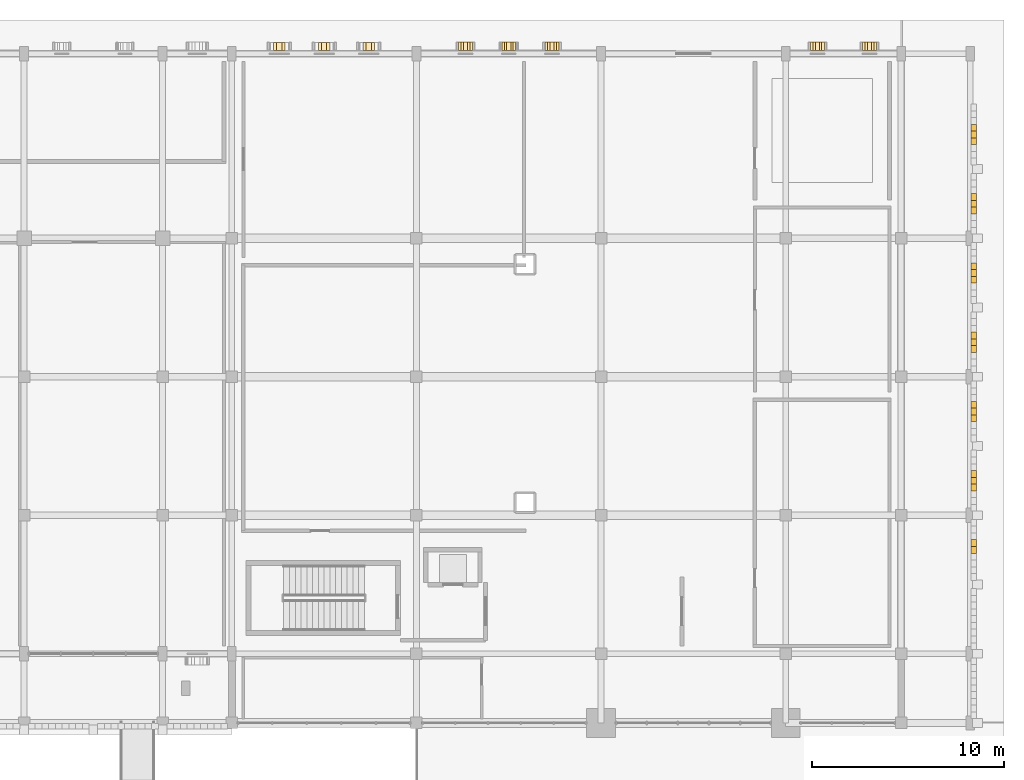
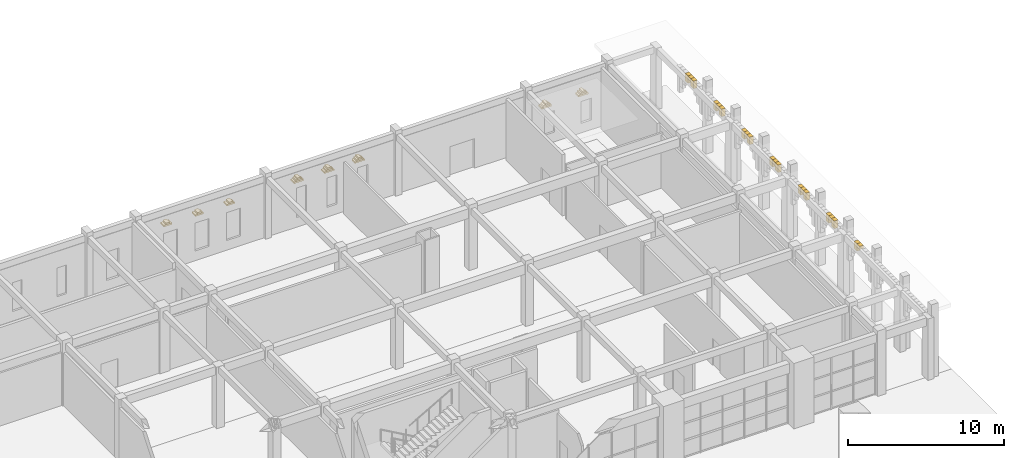
# One storey, part 71 of 72: 41 coverings.
"""IFC4 building model written with IfcOpenShell, lengths in metres."""

from ifc_helpers import new_model, si_unit, direction, frame, origin, origin_2d, place, context, subcontext, project, spatial, rectangle, extrude, material, layer, layer_set, type_object, element, save


model = new_model("IFC4")

# Units and contexts
model_context = context("Model", 3, precision=1e-05, world=origin(), true_north=direction((0.0, 1.0)))
body_context = subcontext(model_context, "Body", "Model", "MODEL_VIEW")
ifc_project = project(units=[si_unit("LENGTHUNIT", "METRE"), si_unit("AREAUNIT", "SQUARE_METRE"), si_unit("VOLUMEUNIT", "CUBIC_METRE"), si_unit("PLANEANGLEUNIT", "RADIAN"), si_unit("MASSUNIT", "GRAM", prefix="KILO")], contexts=[model_context])

# Site, building, storey
site_placement = place(None, origin())
site = spatial("IfcSite", under=ifc_project, at=site_placement, CompositionType="ELEMENT")
building_placement = place(site_placement, origin())
building = spatial("IfcBuilding", under=site, at=building_placement, Name="Nzembalo Square Collegiate School", CompositionType="ELEMENT")
storey_placement = place(building_placement, origin())
storey = spatial("IfcBuildingStorey", under=building, at=storey_placement, Name="L00", CompositionType="ELEMENT", Elevation=0.0)

# Coverings
ifc_material_1 = material(Name="Precast concrete C40/50 arch voussoir", Category="concrete")
ifc_layer_1 = layer(ifc_material_1, 0.1201171875, Name="Precast concrete C40/50 arch voussoir")
ifc_layer_set_1 = layer_set([ifc_layer_1], Name="Precast concrete C40/50 arch voussoir")
covering_type_1 = type_object("IfcCoveringType", Name="AR01", PredefinedType="CLADDING", material=ifc_layer_set_1)
covering_1_placement = place(storey_placement, frame((169.3798828125, 88.199951171875, 4.579833984375), z_axis=(0.0, 0.0, 1.0), x_axis=(1.0, 0.0, 0.0)))
element("IfcCovering", 1, at=covering_1_placement, inside=storey, type_object=covering_type_1, Name="Gothic pointed arch voussoir AR01-090-4", PredefinedType="CLADDING", context=body_context, shape_type="SweptSolid", body=[
    extrude(rectangle(XDim=0.280029296875, YDim=0.35107421875, at=origin_2d()), origin(), (0.0, 0.0, 1.0), 0.22021484375),
])
for number, where, z_axis, x_axis, name in (
    (2, (169.3798828125, 88.551025390625, 4.2109375), (0.0, 0.0, 1.0), (1.0, 0.0, 0.0), "Gothic pointed arch voussoir AR01-090-5"),
    (3, (169.3798828125, 91.44873046875, 4.2109375), (0.0, 0.0, 1.0), (1.0, 0.0, 0.0), "Gothic pointed arch voussoir AR01-091-3"),
):
    element("IfcCovering", number, at=place(storey_placement, frame(where, z_axis=z_axis, x_axis=x_axis)), inside=storey, type_object=covering_type_1, Name=name, PredefinedType="CLADDING", context=body_context, shape_type="SweptSolid", body=[
        extrude(rectangle(XDim=0.280029296875, YDim=0.35107421875, at=origin_2d()), origin(), (0.0, 0.0, 1.0), 0.589111328125),
    ])
covering_2_placement = place(storey_placement, frame((169.3798828125, 91.7998046875, 4.579833984375), z_axis=(0.0, 0.0, 1.0), x_axis=(1.0, 0.0, 0.0)))
element("IfcCovering", 4, at=covering_2_placement, inside=storey, type_object=covering_type_1, Name="Gothic pointed arch voussoir AR01-091-4", PredefinedType="CLADDING", context=body_context, shape_type="SweptSolid", body=[
    extrude(rectangle(XDim=0.280029296875, YDim=0.35107421875, at=origin_2d()), origin(), (0.0, 0.0, 1.0), 0.22021484375),
])
for number, where, z_axis, x_axis, name in (
    (5, (169.3798828125, 92.15087890625, 4.2109375), (0.0, 0.0, 1.0), (1.0, 0.0, 0.0), "Gothic pointed arch voussoir AR01-091-5"),
    (6, (169.3798828125, 95.048828125, 4.2109375), (0.0, 0.0, 1.0), (1.0, 0.0, 0.0), "Gothic pointed arch voussoir AR01-092-3"),
):
    element("IfcCovering", number, at=place(storey_placement, frame(where, z_axis=z_axis, x_axis=x_axis)), inside=storey, type_object=covering_type_1, Name=name, PredefinedType="CLADDING", context=body_context, shape_type="SweptSolid", body=[
        extrude(rectangle(XDim=0.280029296875, YDim=0.35107421875, at=origin_2d()), origin(), (0.0, 0.0, 1.0), 0.589111328125),
    ])
covering_3_placement = place(storey_placement, frame((169.3798828125, 95.39990234375, 4.579833984375), z_axis=(0.0, 0.0, 1.0), x_axis=(1.0, 0.0, 0.0)))
element("IfcCovering", 7, at=covering_3_placement, inside=storey, type_object=covering_type_1, Name="Gothic pointed arch voussoir AR01-092-4", PredefinedType="CLADDING", context=body_context, shape_type="SweptSolid", body=[
    extrude(rectangle(XDim=0.280029296875, YDim=0.35107421875, at=origin_2d()), origin(), (0.0, 0.0, 1.0), 0.22021484375),
])
for number, where, z_axis, x_axis, name in (
    (8, (169.3798828125, 95.7509765625, 4.2109375), (0.0, 0.0, 1.0), (1.0, 0.0, 0.0), "Gothic pointed arch voussoir AR01-092-5"),
    (9, (169.3798828125, 98.648681640625, 4.2109375), (0.0, 0.0, 1.0), (1.0, 0.0, 0.0), "Gothic pointed arch voussoir AR01-093-3"),
):
    element("IfcCovering", number, at=place(storey_placement, frame(where, z_axis=z_axis, x_axis=x_axis)), inside=storey, type_object=covering_type_1, Name=name, PredefinedType="CLADDING", context=body_context, shape_type="SweptSolid", body=[
        extrude(rectangle(XDim=0.280029296875, YDim=0.35107421875, at=origin_2d()), origin(), (0.0, 0.0, 1.0), 0.589111328125),
    ])
covering_4_placement = place(storey_placement, frame((169.3798828125, 99.0, 4.579833984375), z_axis=(0.0, 0.0, 1.0), x_axis=(1.0, 0.0, 0.0)))
element("IfcCovering", 10, at=covering_4_placement, inside=storey, type_object=covering_type_1, Name="Gothic pointed arch voussoir AR01-093-4", PredefinedType="CLADDING", context=body_context, shape_type="SweptSolid", body=[
    extrude(rectangle(XDim=0.280029296875, YDim=0.35107421875, at=origin_2d()), origin(), (0.0, 0.0, 1.0), 0.22021484375),
])
for number, where, z_axis, x_axis, name in (
    (11, (169.3798828125, 99.35107421875, 4.2109375), (0.0, 0.0, 1.0), (1.0, 0.0, 0.0), "Gothic pointed arch voussoir AR01-093-5"),
    (12, (169.3798828125, 102.248779296875, 4.2109375), (0.0, 0.0, 1.0), (1.0, 0.0, 0.0), "Gothic pointed arch voussoir AR01-094-3"),
):
    element("IfcCovering", number, at=place(storey_placement, frame(where, z_axis=z_axis, x_axis=x_axis)), inside=storey, type_object=covering_type_1, Name=name, PredefinedType="CLADDING", context=body_context, shape_type="SweptSolid", body=[
        extrude(rectangle(XDim=0.280029296875, YDim=0.35107421875, at=origin_2d()), origin(), (0.0, 0.0, 1.0), 0.589111328125),
    ])
covering_5_placement = place(storey_placement, frame((169.3798828125, 102.599853515625, 4.579833984375), z_axis=(0.0, 0.0, 1.0), x_axis=(1.0, 0.0, 0.0)))
element("IfcCovering", 13, at=covering_5_placement, inside=storey, type_object=covering_type_1, Name="Gothic pointed arch voussoir AR01-094-4", PredefinedType="CLADDING", context=body_context, shape_type="SweptSolid", body=[
    extrude(rectangle(XDim=0.280029296875, YDim=0.35107421875, at=origin_2d()), origin(), (0.0, 0.0, 1.0), 0.22021484375),
])
for number, where, z_axis, x_axis, name in (
    (14, (169.3798828125, 102.950927734375, 4.2109375), (0.0, 0.0, 1.0), (1.0, 0.0, 0.0), "Gothic pointed arch voussoir AR01-094-5"),
    (15, (169.3798828125, 105.848876953125, 4.2109375), (0.0, 0.0, 1.0), (1.0, 0.0, 0.0), "Gothic pointed arch voussoir AR01-095-3"),
):
    element("IfcCovering", number, at=place(storey_placement, frame(where, z_axis=z_axis, x_axis=x_axis)), inside=storey, type_object=covering_type_1, Name=name, PredefinedType="CLADDING", context=body_context, shape_type="SweptSolid", body=[
        extrude(rectangle(XDim=0.280029296875, YDim=0.35107421875, at=origin_2d()), origin(), (0.0, 0.0, 1.0), 0.589111328125),
    ])
covering_6_placement = place(storey_placement, frame((169.3798828125, 106.199951171875, 4.579833984375), z_axis=(0.0, 0.0, 1.0), x_axis=(1.0, 0.0, 0.0)))
element("IfcCovering", 16, at=covering_6_placement, inside=storey, type_object=covering_type_1, Name="Gothic pointed arch voussoir AR01-095-4", PredefinedType="CLADDING", context=body_context, shape_type="SweptSolid", body=[
    extrude(rectangle(XDim=0.280029296875, YDim=0.35107421875, at=origin_2d()), origin(), (0.0, 0.0, 1.0), 0.22021484375),
])
for number, where, z_axis, x_axis, name in (
    (17, (169.3798828125, 106.551025390625, 4.2109375), (0.0, 0.0, 1.0), (1.0, 0.0, 0.0), "Gothic pointed arch voussoir AR01-095-5"),
    (18, (169.3798828125, 109.44873046875, 4.2109375), (0.0, 0.0, 1.0), (1.0, 0.0, 0.0), "Gothic pointed arch voussoir AR01-096-3"),
):
    element("IfcCovering", number, at=place(storey_placement, frame(where, z_axis=z_axis, x_axis=x_axis)), inside=storey, type_object=covering_type_1, Name=name, PredefinedType="CLADDING", context=body_context, shape_type="SweptSolid", body=[
        extrude(rectangle(XDim=0.280029296875, YDim=0.35107421875, at=origin_2d()), origin(), (0.0, 0.0, 1.0), 0.589111328125),
    ])
covering_7_placement = place(storey_placement, frame((169.3798828125, 109.7998046875, 4.579833984375), z_axis=(0.0, 0.0, 1.0), x_axis=(1.0, 0.0, 0.0)))
element("IfcCovering", 19, at=covering_7_placement, inside=storey, type_object=covering_type_1, Name="Gothic pointed arch voussoir AR01-096-4", PredefinedType="CLADDING", context=body_context, shape_type="SweptSolid", body=[
    extrude(rectangle(XDim=0.280029296875, YDim=0.35107421875, at=origin_2d()), origin(), (0.0, 0.0, 1.0), 0.22021484375),
])
covering_8_placement = place(storey_placement, frame((169.3798828125, 110.15087890625, 4.2109375), z_axis=(0.0, 0.0, 1.0), x_axis=(1.0, 0.0, 0.0)))
element("IfcCovering", 20, at=covering_8_placement, inside=storey, type_object=covering_type_1, Name="Gothic pointed arch voussoir AR01-096-5", PredefinedType="CLADDING", context=body_context, shape_type="SweptSolid", body=[
    extrude(rectangle(XDim=0.280029296875, YDim=0.35107421875, at=origin_2d()), origin(), (0.0, 0.0, 1.0), 0.589111328125),
])
ifc_material_2 = material(Name="Glazed celadon ceramic window frame")
ifc_layer_2 = layer(ifc_material_2, 0.419921875, Name="Glazed celadon ceramic window frame")
ifc_layer_set_2 = layer_set([ifc_layer_2], Name="Glazed celadon ceramic window frame")
covering_type_2 = type_object("IfcCoveringType", Name="WF01", PredefinedType="CLADDING", material=ifc_layer_set_2)
covering_9_placement = place(storey_placement, frame((133.2734375, 114.375, 3.159912109375), z_axis=(0.0, 0.0, 1.0), x_axis=(1.0, 0.0, 0.0)))
element("IfcCovering", 21, at=covering_9_placement, inside=storey, type_object=covering_type_2, Name="Pointed lancet gable WF01-0143-2", PredefinedType="CLADDING", context=body_context, shape_type="SweptSolid", body=[
    extrude(rectangle(XDim=0.594970703125, YDim=0.419921875, at=origin_2d()), origin(), (0.0, 0.0, 1.0), 0.1201171875),
])
covering_10_placement = place(storey_placement, frame((133.2734375, 114.375, 3.280029296875), z_axis=(0.0, 0.0, 1.0), x_axis=(1.0, 0.0, 0.0)))
element("IfcCovering", 22, at=covering_10_placement, inside=storey, type_object=covering_type_2, Name="Pointed lancet gable WF01-0143-3", PredefinedType="CLADDING", context=body_context, shape_type="SweptSolid", body=[
    extrude(rectangle(XDim=0.27294921875, YDim=0.419921875, at=origin_2d()), origin(), (0.0, 0.0, 1.0), 0.1201171875),
])
covering_11_placement = place(storey_placement, frame((135.60009765625, 114.375, 3.159912109375), z_axis=(0.0, 0.0, 1.0), x_axis=(1.0, 0.0, 0.0)))
element("IfcCovering", 23, at=covering_11_placement, inside=storey, type_object=covering_type_2, Name="Pointed lancet gable WF01-0144-2", PredefinedType="CLADDING", context=body_context, shape_type="SweptSolid", body=[
    extrude(rectangle(XDim=0.594970703125, YDim=0.419921875, at=origin_2d()), origin(), (0.0, 0.0, 1.0), 0.1201171875),
])
covering_12_placement = place(storey_placement, frame((135.60009765625, 114.375, 3.280029296875), z_axis=(0.0, 0.0, 1.0), x_axis=(1.0, 0.0, 0.0)))
element("IfcCovering", 24, at=covering_12_placement, inside=storey, type_object=covering_type_2, Name="Pointed lancet gable WF01-0144-3", PredefinedType="CLADDING", context=body_context, shape_type="SweptSolid", body=[
    extrude(rectangle(XDim=0.27294921875, YDim=0.419921875, at=origin_2d()), origin(), (0.0, 0.0, 1.0), 0.1201171875),
])
covering_13_placement = place(storey_placement, frame((137.926513671875, 114.375, 3.159912109375), z_axis=(0.0, 0.0, 1.0), x_axis=(1.0, 0.0, 0.0)))
element("IfcCovering", 25, at=covering_13_placement, inside=storey, type_object=covering_type_2, Name="Pointed lancet gable WF01-0145-2", PredefinedType="CLADDING", context=body_context, shape_type="SweptSolid", body=[
    extrude(rectangle(XDim=0.594970703125, YDim=0.419921875, at=origin_2d()), origin(), (0.0, 0.0, 1.0), 0.1201171875),
])
covering_14_placement = place(storey_placement, frame((137.926513671875, 114.375, 3.280029296875), z_axis=(0.0, 0.0, 1.0), x_axis=(1.0, 0.0, 0.0)))
element("IfcCovering", 26, at=covering_14_placement, inside=storey, type_object=covering_type_2, Name="Pointed lancet gable WF01-0145-3", PredefinedType="CLADDING", context=body_context, shape_type="SweptSolid", body=[
    extrude(rectangle(XDim=0.27294921875, YDim=0.419921875, at=origin_2d()), origin(), (0.0, 0.0, 1.0), 0.1201171875),
])
covering_15_placement = place(storey_placement, frame((142.946044921875, 114.385009765625, 3.159912109375), z_axis=(0.0, 0.0, 1.0), x_axis=(1.0, 0.0, 0.0)))
element("IfcCovering", 27, at=covering_15_placement, inside=storey, type_object=covering_type_2, Name="Pointed lancet gable WF01-0148-1", PredefinedType="CLADDING", context=body_context, shape_type="SweptSolid", body=[
    extrude(rectangle(XDim=0.721923828125, YDim=0.419921875, at=origin_2d()), origin(), (0.0, 0.0, 1.0), 0.1201171875),
])
covering_16_placement = place(storey_placement, frame((142.946044921875, 114.385009765625, 3.280029296875), z_axis=(0.0, 0.0, 1.0), x_axis=(1.0, 0.0, 0.0)))
element("IfcCovering", 28, at=covering_16_placement, inside=storey, type_object=covering_type_2, Name="Pointed lancet gable WF01-0148-2", PredefinedType="CLADDING", context=body_context, shape_type="SweptSolid", body=[
    extrude(rectangle(XDim=0.4560546875, YDim=0.419921875, at=origin_2d()), origin(), (0.0, 0.0, 1.0), 0.1201171875),
])
covering_17_placement = place(storey_placement, frame((142.946044921875, 114.385009765625, 3.39990234375), z_axis=(0.0, 0.0, 1.0), x_axis=(1.0, 0.0, 0.0)))
element("IfcCovering", 29, at=covering_17_placement, inside=storey, type_object=covering_type_2, Name="Pointed lancet gable WF01-0148-3", PredefinedType="CLADDING", context=body_context, shape_type="SweptSolid", body=[
    extrude(rectangle(XDim=0.208984375, YDim=0.419921875, at=origin_2d()), origin(), (0.0, 0.0, 1.0), 0.1201171875),
])
covering_18_placement = place(storey_placement, frame((145.199951171875, 114.385009765625, 3.159912109375), z_axis=(0.0, 0.0, 1.0), x_axis=(1.0, 0.0, 0.0)))
element("IfcCovering", 30, at=covering_18_placement, inside=storey, type_object=covering_type_2, Name="Pointed lancet gable WF01-0149-1", PredefinedType="CLADDING", context=body_context, shape_type="SweptSolid", body=[
    extrude(rectangle(XDim=0.721923828125, YDim=0.419921875, at=origin_2d()), origin(), (0.0, 0.0, 1.0), 0.1201171875),
])
covering_19_placement = place(storey_placement, frame((145.199951171875, 114.385009765625, 3.280029296875), z_axis=(0.0, 0.0, 1.0), x_axis=(1.0, 0.0, 0.0)))
element("IfcCovering", 31, at=covering_19_placement, inside=storey, type_object=covering_type_2, Name="Pointed lancet gable WF01-0149-2", PredefinedType="CLADDING", context=body_context, shape_type="SweptSolid", body=[
    extrude(rectangle(XDim=0.4560546875, YDim=0.419921875, at=origin_2d()), origin(), (0.0, 0.0, 1.0), 0.1201171875),
])
covering_20_placement = place(storey_placement, frame((145.199951171875, 114.385009765625, 3.39990234375), z_axis=(0.0, 0.0, 1.0), x_axis=(1.0, 0.0, 0.0)))
element("IfcCovering", 32, at=covering_20_placement, inside=storey, type_object=covering_type_2, Name="Pointed lancet gable WF01-0149-3", PredefinedType="CLADDING", context=body_context, shape_type="SweptSolid", body=[
    extrude(rectangle(XDim=0.208984375, YDim=0.419921875, at=origin_2d()), origin(), (0.0, 0.0, 1.0), 0.1201171875),
])
covering_21_placement = place(storey_placement, frame((147.4541015625, 114.385009765625, 3.159912109375), z_axis=(0.0, 0.0, 1.0), x_axis=(1.0, 0.0, 0.0)))
element("IfcCovering", 33, at=covering_21_placement, inside=storey, type_object=covering_type_2, Name="Pointed lancet gable WF01-0150-1", PredefinedType="CLADDING", context=body_context, shape_type="SweptSolid", body=[
    extrude(rectangle(XDim=0.721923828125, YDim=0.419921875, at=origin_2d()), origin(), (0.0, 0.0, 1.0), 0.1201171875),
])
covering_22_placement = place(storey_placement, frame((147.4541015625, 114.385009765625, 3.280029296875), z_axis=(0.0, 0.0, 1.0), x_axis=(1.0, 0.0, 0.0)))
element("IfcCovering", 34, at=covering_22_placement, inside=storey, type_object=covering_type_2, Name="Pointed lancet gable WF01-0150-2", PredefinedType="CLADDING", context=body_context, shape_type="SweptSolid", body=[
    extrude(rectangle(XDim=0.4560546875, YDim=0.419921875, at=origin_2d()), origin(), (0.0, 0.0, 1.0), 0.1201171875),
])
covering_23_placement = place(storey_placement, frame((147.4541015625, 114.385009765625, 3.39990234375), z_axis=(0.0, 0.0, 1.0), x_axis=(1.0, 0.0, 0.0)))
element("IfcCovering", 35, at=covering_23_placement, inside=storey, type_object=covering_type_2, Name="Pointed lancet gable WF01-0150-3", PredefinedType="CLADDING", context=body_context, shape_type="SweptSolid", body=[
    extrude(rectangle(XDim=0.208984375, YDim=0.419921875, at=origin_2d()), origin(), (0.0, 0.0, 1.0), 0.1201171875),
])
covering_24_placement = place(storey_placement, frame((161.24609375, 114.385009765625, 2.56005859375), z_axis=(0.0, 0.0, 1.0), x_axis=(1.0, 0.0, 0.0)))
element("IfcCovering", 36, at=covering_24_placement, inside=storey, type_object=covering_type_2, Name="Pointed lancet gable WF01-0151-1", PredefinedType="CLADDING", context=body_context, shape_type="SweptSolid", body=[
    extrude(rectangle(XDim=0.721923828125, YDim=0.419921875, at=origin_2d()), origin(), (0.0, 0.0, 1.0), 0.1201171875),
])
covering_25_placement = place(storey_placement, frame((161.24609375, 114.385009765625, 2.679931640625), z_axis=(0.0, 0.0, 1.0), x_axis=(1.0, 0.0, 0.0)))
element("IfcCovering", 37, at=covering_25_placement, inside=storey, type_object=covering_type_2, Name="Pointed lancet gable WF01-0151-2", PredefinedType="CLADDING", context=body_context, shape_type="SweptSolid", body=[
    extrude(rectangle(XDim=0.4560546875, YDim=0.419921875, at=origin_2d()), origin(), (0.0, 0.0, 1.0), 0.1201171875),
])
covering_26_placement = place(storey_placement, frame((161.24609375, 114.385009765625, 2.800048828125), z_axis=(0.0, 0.0, 1.0), x_axis=(1.0, 0.0, 0.0)))
element("IfcCovering", 38, at=covering_26_placement, inside=storey, type_object=covering_type_2, Name="Pointed lancet gable WF01-0151-3", PredefinedType="CLADDING", context=body_context, shape_type="SweptSolid", body=[
    extrude(rectangle(XDim=0.208984375, YDim=0.419921875, at=origin_2d()), origin(), (0.0, 0.0, 1.0), 0.1201171875),
])
covering_27_placement = place(storey_placement, frame((163.9541015625, 114.385009765625, 2.56005859375), z_axis=(0.0, 0.0, 1.0), x_axis=(1.0, 0.0, 0.0)))
element("IfcCovering", 39, at=covering_27_placement, inside=storey, type_object=covering_type_2, Name="Pointed lancet gable WF01-0152-1", PredefinedType="CLADDING", context=body_context, shape_type="SweptSolid", body=[
    extrude(rectangle(XDim=0.721923828125, YDim=0.419921875, at=origin_2d()), origin(), (0.0, 0.0, 1.0), 0.1201171875),
])
covering_28_placement = place(storey_placement, frame((163.9541015625, 114.385009765625, 2.679931640625), z_axis=(0.0, 0.0, 1.0), x_axis=(1.0, 0.0, 0.0)))
element("IfcCovering", 40, at=covering_28_placement, inside=storey, type_object=covering_type_2, Name="Pointed lancet gable WF01-0152-2", PredefinedType="CLADDING", context=body_context, shape_type="SweptSolid", body=[
    extrude(rectangle(XDim=0.4560546875, YDim=0.419921875, at=origin_2d()), origin(), (0.0, 0.0, 1.0), 0.1201171875),
])
covering_29_placement = place(storey_placement, frame((163.9541015625, 114.385009765625, 2.800048828125), z_axis=(0.0, 0.0, 1.0), x_axis=(1.0, 0.0, 0.0)))
element("IfcCovering", 41, at=covering_29_placement, inside=storey, type_object=covering_type_2, Name="Pointed lancet gable WF01-0152-3", PredefinedType="CLADDING", context=body_context, shape_type="SweptSolid", body=[
    extrude(rectangle(XDim=0.208984375, YDim=0.419921875, at=origin_2d()), origin(), (0.0, 0.0, 1.0), 0.1201171875),
])

save(model, "model.ifc")
